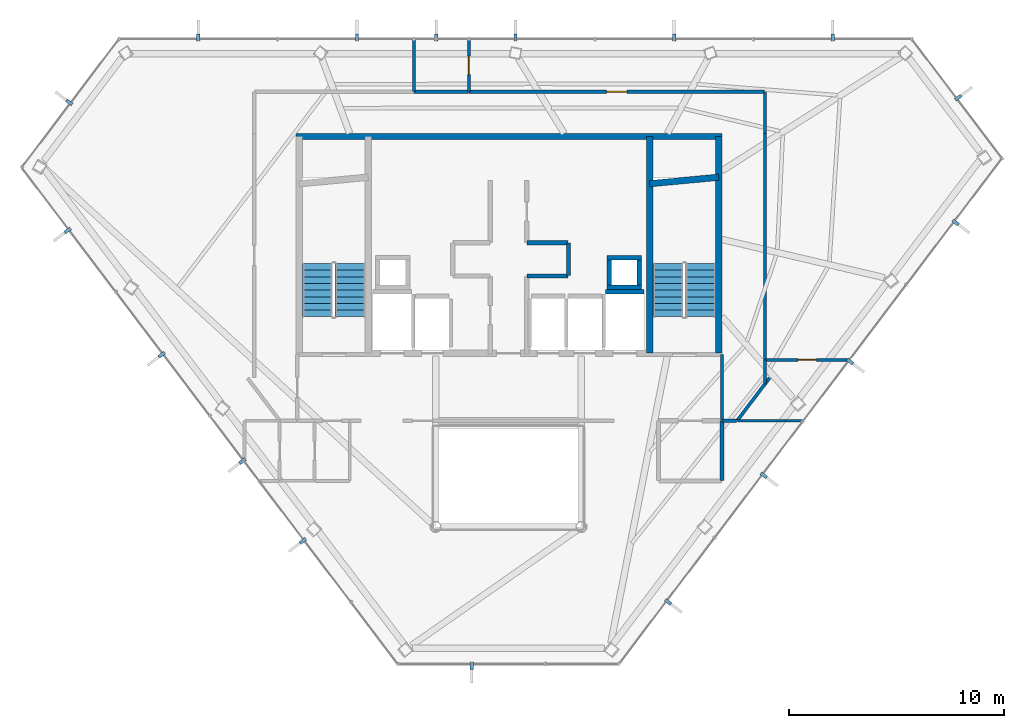
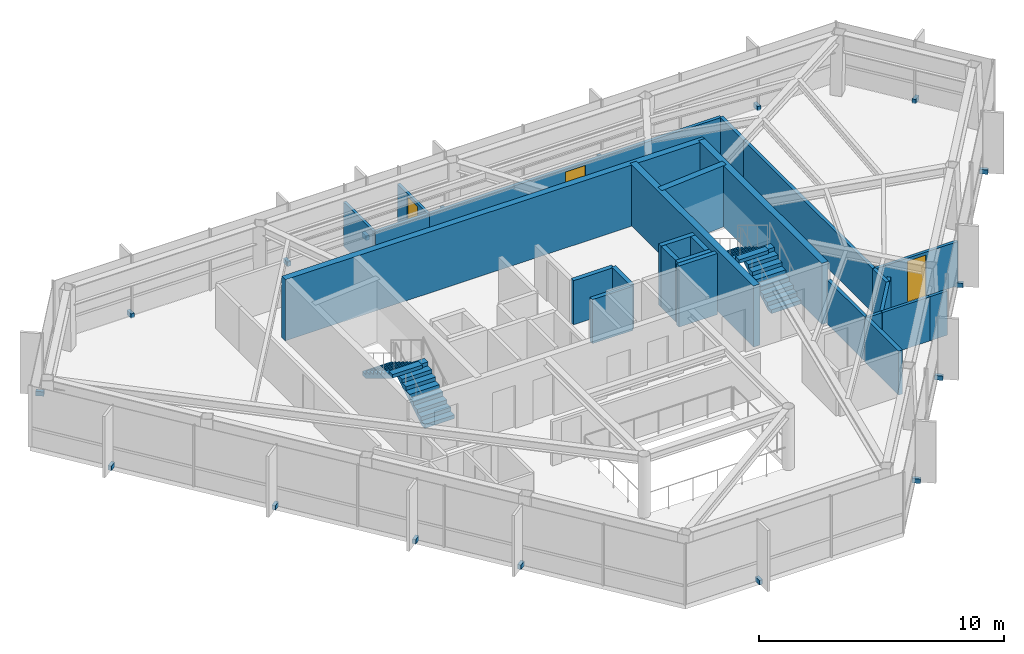
# One storey, part 23 of 24: 26 walls, 17 discrete accessories, 4 stair flights, 3 doors, 3 openings, 2 elements without a shape of their own.
"""IFC4 building model written with IfcOpenShell, lengths in metres."""

from ifc_helpers import new_model, si_unit, direction, frame, frame_2d, origin, origin_2d, place, context, subcontext, project, spatial, polyline, rectangle, outline, extrude, material, layer, layer_set, type_object, element, fill, aggregate, save


model = new_model("IFC4")

# Units and contexts
model_context = context("Model", 3, precision=1e-05, world=origin(), true_north=direction((0.0, 1.0)))
body_context = subcontext(model_context, "Body", "Model", "MODEL_VIEW")
ifc_project = project(units=[si_unit("LENGTHUNIT", "METRE"), si_unit("AREAUNIT", "SQUARE_METRE"), si_unit("VOLUMEUNIT", "CUBIC_METRE"), si_unit("PLANEANGLEUNIT", "RADIAN"), si_unit("MASSUNIT", "GRAM", prefix="KILO")], contexts=[model_context])

# Site, building, storey
site_placement = place(None, origin())
site = spatial("IfcSite", under=ifc_project, at=site_placement, CompositionType="ELEMENT")
building_placement = place(site_placement, origin())
building = spatial("IfcBuilding", under=site, at=building_placement, Name="Zarrinselat Tower", CompositionType="ELEMENT")
storey_placement = place(building_placement, frame((0.0, 0.0, 249.56005859375)))
storey = spatial("IfcBuildingStorey", under=building, at=storey_placement, Name="L63", CompositionType="ELEMENT", Elevation=249.56005859375)

# Walls
ifc_material_1 = material(Name="Concrete C40/50", Category="concrete")
ifc_layer_1 = layer(ifc_material_1, 0.18994140625)
ifc_layer_set_1 = layer_set([ifc_layer_1], Name="Concrete C40/50")
wall_type_1 = type_object("IfcWallType", Name="WAL-PART-EI120", PredefinedType="PARTITIONING", material=ifc_layer_set_1)
wall_1_placement = place(storey_placement, frame((48.35009765625, 27.3701171875, 0.0), z_axis=(0.0, 0.0, 1.0), x_axis=(0.0, 1.0, 0.0)))
element("IfcWall", 1, at=wall_1_placement, inside=storey, type_object=wall_type_1, Name="L63 Partition Wall 20", PredefinedType="PARTITIONING", context=body_context, shape_type="SweptSolid", body=[
    extrude(rectangle(XDim=2.759765625, YDim=0.18994140625, at=frame_2d((1.3798828125, 0.0))), origin(), (0.0, 0.0, 1.0), 2.199951171875),
])
ifc_material_2 = material(Name="Fire-Rated Gypsum Board Partition", Category="gypsum")
ifc_layer_2 = layer(ifc_material_2, 0.14990234375)
ifc_layer_set_2 = layer_set([ifc_layer_2], Name="Fire-Rated Gypsum Board Partition")
wall_type_2 = type_object("IfcWallType", Name="WAL-PART-EI60", PredefinedType="PARTITIONING", material=ifc_layer_set_2)
wall_2_placement = place(storey_placement, frame((48.35009765625, 30.169921875, 0.0), z_axis=(0.0, 0.0, 1.0), x_axis=(0.0, 1.0, 0.0)))
element("IfcWall", 2, at=wall_2_placement, inside=storey, type_object=wall_type_2, Name="L63 Partition Wall 13", PredefinedType="PARTITIONING", context=body_context, shape_type="SweptSolid", body=[
    extrude(rectangle(XDim=3.06005859375, YDim=0.14990234375, at=frame_2d((1.530029296875, 0.0))), origin(), (0.0, 0.0, 1.0), 2.199951171875),
])
wall_3_placement = place(storey_placement, frame((48.3701171875, 30.14990234375, 0.0), z_axis=(0.0, 0.0, 1.0), x_axis=(1.0, 0.0, 0.0)))
element("IfcWall", 3, at=wall_3_placement, inside=storey, type_object=wall_type_2, Name="L63 Partition Wall 22", PredefinedType="PARTITIONING", context=body_context, shape_type="SweptSolid", body=[
    extrude(rectangle(XDim=0.665283203125, YDim=0.14990234375, at=frame_2d((0.33251953125, 0.0))), origin(), (0.0, 0.0, 1.0), 2.199951171875),
])

# Wall, opening, door
wall_4_placement = place(storey_placement, frame((36.554931640625, 45.484619140625, 0.0), z_axis=(0.0, 0.0, 1.0), x_axis=(1.0, 0.0, 0.0)))
wall_4 = element("IfcWall", 4, at=wall_4_placement, inside=storey, type_object=wall_type_2, Name="L63 Partition Wall 27", PredefinedType="PARTITIONING", context=body_context, shape_type="SweptSolid", body=[
    extrude(rectangle(XDim=13.775146484375, YDim=0.14990234375, at=frame_2d((6.8876953125, 0.0))), origin(), (0.0, 0.0, 1.0), 2.199951171875),
])
opening_1_placement = place(wall_4_placement, frame((6.41748046875, 0.0, 0.0)))
opening_1 = element("IfcOpeningElement", 5, at=opening_1_placement, cuts=wall_4, Name="Opening ID-04", PredefinedType="OPENING", context=body_context, shape_type="SweptSolid", body=[
    extrude(rectangle(XDim=0.93994140625, YDim=2.050048828125, at=frame_2d((0.469970703125, 1.02490234375))), frame((0.0, 0.0849609375, 0.0), z_axis=(0.0, -1.0, 0.0), x_axis=(1.0, 0.0, 0.0)), (0.0, 0.0, 1.0), 0.169921875),
])
ifc_material_3 = material(Name="Fire-Rated Gypsum Board Partition")
door_type_1 = type_object("IfcDoorType", Name="DR-INT-FD30-ENT", OperationType="NOTDEFINED", PredefinedType="DOOR", material=ifc_material_3)
door_1_placement = place(opening_1_placement, origin())
door_1 = element("IfcDoor", 6, at=door_1_placement, inside=storey, type_object=door_type_1, Name="L63 Interior Door P27", OperationType="SINGLE_SWING_RIGHT", OverallHeight=2.050048828125, OverallWidth=0.93994140625, PredefinedType="DOOR", context=body_context, shape_type="SweptSolid", body=[
    extrude(rectangle(XDim=0.93994140625, YDim=2.050048828125, at=frame_2d((0.469970703125, 1.02490234375))), frame((0.0, 0.02490234375, 0.0), z_axis=(0.0, -1.0, 0.0), x_axis=(1.0, 0.0, 0.0)), (0.0, 0.0, 1.0), 0.050048828125),
])
fill(opening_1, door_1)

# Walls
wall_5_placement = place(storey_placement, frame((50.35009765625, 43.550048828125, 0.0), z_axis=(0.0, 0.0, 1.0), x_axis=(0.0, 1.0, 0.0)))
element("IfcWall", 7, at=wall_5_placement, inside=storey, type_object=wall_type_2, Name="L63 Partition Wall 28", PredefinedType="PARTITIONING", context=body_context, shape_type="SweptSolid", body=[
    extrude(rectangle(XDim=1.91455078125, YDim=0.14990234375, at=frame_2d((0.957275390625, 0.0))), origin(), (0.0, 0.0, 1.0), 2.199951171875),
])
wall_6_placement = place(storey_placement, frame((50.35009765625, 32.992431640625, 0.0), z_axis=(0.0, 0.0, 1.0), x_axis=(0.0, 1.0, 0.0)))
element("IfcWall", 8, at=wall_6_placement, inside=storey, type_object=wall_type_2, Name="L63 Partition Wall 29", PredefinedType="PARTITIONING", context=body_context, shape_type="SweptSolid", body=[
    extrude(rectangle(XDim=10.5576171875, YDim=0.14990234375, at=frame_2d((5.27880859375, 0.0))), origin(), (0.0, 0.0, 1.0), 2.199951171875),
])
wall_7_placement = place(storey_placement, frame((50.35009765625, 31.873779296875, 0.0), z_axis=(0.0, 0.0, 1.0), x_axis=(0.0, 1.0, 0.0)))
element("IfcWall", 9, at=wall_7_placement, inside=storey, type_object=wall_type_2, Name="L63 Partition Wall 30", PredefinedType="PARTITIONING", context=body_context, shape_type="SweptSolid", body=[
    extrude(rectangle(XDim=1.108642578125, YDim=0.14990234375, at=frame_2d((0.55419921875, 0.0))), origin(), (0.0, 0.0, 1.0), 2.199951171875),
])
wall_8_placement = place(storey_placement, frame((49.0673828125, 30.166015625, 0.0), z_axis=(0.0, 0.0, 1.0), x_axis=(0.603916229015, 0.797047795513, 0.0)))
element("IfcWall", 10, at=wall_8_placement, inside=storey, type_object=wall_type_2, Name="L63 Partition Wall 31", PredefinedType="PARTITIONING", context=body_context, shape_type="SweptSolid", body=[
    extrude(rectangle(XDim=2.489013671875, YDim=0.14990234375, at=frame_2d((1.24462890625, 0.0))), origin(), (0.0, 0.0, 1.0), 2.199951171875),
])
wall_9_placement = place(storey_placement, frame((34.0048828125, 45.484619140625, 0.0), z_axis=(0.0, 0.0, 1.0), x_axis=(1.0, 0.0, 0.0)))
element("IfcWall", 11, at=wall_9_placement, inside=storey, type_object=wall_type_2, Name="L63 Partition Wall 32", PredefinedType="PARTITIONING", context=body_context, shape_type="SweptSolid", body=[
    extrude(rectangle(XDim=2.5400390625, YDim=0.14990234375, at=frame_2d((1.27001953125, 0.0))), origin(), (0.0, 0.0, 1.0), 2.199951171875),
])
ifc_material_4 = material(Name="Concrete C40/50", Category="concrete")
ifc_layer_3 = layer(ifc_material_4, 0.199951171875)
ifc_layer_set_3 = layer_set([ifc_layer_3], Name="Concrete C40/50")
wall_type_3 = type_object("IfcWallType", Name="WAL-PART-PLANT", PredefinedType="PARTITIONING", material=ifc_layer_set_3)
wall_10_placement = place(storey_placement, frame((39.27001953125, 38.449951171875, 0.0), z_axis=(0.0, 0.0, 1.0), x_axis=(1.0, 0.0, 0.0)))
element("IfcWall", 12, at=wall_10_placement, inside=storey, type_object=wall_type_3, Name="L63 Partition Wall 7", PredefinedType="PARTITIONING", context=body_context, shape_type="SweptSolid", body=[
    extrude(rectangle(XDim=1.909912109375, YDim=0.199951171875, at=frame_2d((0.955078125, 0.0))), origin(), (0.0, 0.0, 1.0), 2.199951171875),
])
wall_11_placement = place(storey_placement, frame((41.199951171875, 36.919921875, 0.0), z_axis=(0.0, 0.0, 1.0), x_axis=(0.0, 1.0, 0.0)))
element("IfcWall", 13, at=wall_11_placement, inside=storey, type_object=wall_type_3, Name="L63 Partition Wall 8", PredefinedType="PARTITIONING", context=body_context, shape_type="SweptSolid", body=[
    extrude(rectangle(XDim=1.510009765625, YDim=0.199951171875, at=frame_2d((0.7548828125, 0.0))), origin(), (0.0, 0.0, 1.0), 2.199951171875),
])
wall_12_placement = place(storey_placement, frame((39.27001953125, 36.89990234375, 0.0), z_axis=(0.0, 0.0, 1.0), x_axis=(1.0, 0.0, 0.0)))
element("IfcWall", 14, at=wall_12_placement, inside=storey, type_object=wall_type_3, Name="L63 Partition Wall 9", PredefinedType="PARTITIONING", context=body_context, shape_type="SweptSolid", body=[
    extrude(rectangle(XDim=1.909912109375, YDim=0.199951171875, at=frame_2d((0.955078125, 0.0))), origin(), (0.0, 0.0, 1.0), 2.199951171875),
])
ifc_material_5 = material(Name="Fire-Rated Gypsum Board Partition", Category="gypsum")
ifc_layer_4 = layer(ifc_material_5, 0.135009765625)
ifc_layer_set_4 = layer_set([ifc_layer_4], Name="Fire-Rated Gypsum Board Partition")
wall_type_4 = type_object("IfcWallType", Name="WAL-PART-WET", PredefinedType="PARTITIONING", material=ifc_layer_set_4)
wall_13_placement = place(storey_placement, frame((49.0751953125, 30.14990234375, 0.0), z_axis=(0.0, 0.0, 1.0), x_axis=(1.0, 0.0, 0.0)))
element("IfcWall", 15, at=wall_13_placement, inside=storey, type_object=wall_type_4, Name="L63 Partition Wall 41", PredefinedType="PARTITIONING", context=body_context, shape_type="SweptSolid", body=[
    extrude(rectangle(XDim=2.224853515625, YDim=0.135009765625, at=frame_2d((1.1123046875, 0.0))), origin(), (0.0, 0.0, 1.0), 2.199951171875),
])
wall_14_placement = place(storey_placement, frame((51.300048828125, 30.14990234375, 0.0), z_axis=(0.0, 0.0, 1.0), x_axis=(1.0, 0.0, 0.0)))
element("IfcWall", 16, at=wall_14_placement, inside=storey, type_object=wall_type_4, Name="L63 Partition Wall 42", PredefinedType="PARTITIONING", context=body_context, shape_type="SweptSolid", body=[
    extrude(rectangle(XDim=0.82666015625, YDim=0.135009765625, at=frame_2d((0.413330078125, 0.0))), origin(), (0.0, 0.0, 1.0), 2.199951171875),
])
wall_15_placement = place(storey_placement, frame((34.0, 45.50439453125, 0.0), z_axis=(0.0, 0.0, 1.0), x_axis=(0.0, 1.0, 0.0)))
element("IfcWall", 17, at=wall_15_placement, inside=storey, type_object=wall_type_4, Name="L63 Partition Wall 43", PredefinedType="PARTITIONING", context=body_context, shape_type="SweptSolid", body=[
    extrude(rectangle(XDim=2.425048828125, YDim=0.135009765625, at=frame_2d((1.21240234375, 0.0))), origin(), (0.0, 0.0, 1.0), 2.199951171875),
])

# Wall, opening, door
wall_16_placement = place(storey_placement, frame((50.3701171875, 32.987548828125, 0.0), z_axis=(0.0, 0.0, 1.0), x_axis=(1.0, 0.0, 0.0)))
wall_16 = element("IfcWall", 18, at=wall_16_placement, inside=storey, type_object=wall_type_4, Name="L63 Partition Wall 44", PredefinedType="PARTITIONING", context=body_context, shape_type="SweptSolid", body=[
    extrude(rectangle(XDim=3.906005859375, YDim=0.135009765625, at=frame_2d((1.953125, 0.0))), origin(), (0.0, 0.0, 1.0), 2.199951171875),
])
opening_2_placement = place(wall_16_placement, frame((1.523193359375, 0.0, 0.0)))
opening_2 = element("IfcOpeningElement", 19, at=opening_2_placement, cuts=wall_16, Name="Opening ID-06", PredefinedType="OPENING", context=body_context, shape_type="SweptSolid", body=[
    extrude(rectangle(XDim=0.860107421875, YDim=2.050048828125, at=frame_2d((0.43017578125, 1.02490234375))), frame((0.0, 0.077392578125, 0.0), z_axis=(0.0, -1.0, 0.0), x_axis=(1.0, 0.0, 0.0)), (0.0, 0.0, 1.0), 0.155029296875),
])
ifc_material_6 = material(Name="Extruded Aluminium Alloy EN AW-6063 T6", Category="aluminium")
door_type_2 = type_object("IfcDoorType", Name="DR-INT-WET-900", OperationType="NOTDEFINED", PredefinedType="DOOR", material=ifc_material_6)
door_2_placement = place(opening_2_placement, origin())
door_2 = element("IfcDoor", 20, at=door_2_placement, inside=storey, type_object=door_type_2, Name="L63 Interior Door P44", OperationType="SINGLE_SWING_LEFT", OverallHeight=2.050048828125, OverallWidth=0.860107421875, PredefinedType="DOOR", context=body_context, shape_type="SweptSolid", body=[
    extrude(rectangle(XDim=0.860107421875, YDim=2.050048828125, at=frame_2d((0.43017578125, 1.02490234375))), frame((0.0, 0.02490234375, 0.0), z_axis=(0.0, -1.0, 0.0), x_axis=(1.0, 0.0, 0.0)), (0.0, 0.0, 1.0), 0.050048828125),
])
fill(opening_2, door_2)

wall_17_placement = place(storey_placement, frame((36.550048828125, 45.50439453125, 0.0), z_axis=(0.0, 0.0, 1.0), x_axis=(0.0, 1.0, 0.0)))
wall_17 = element("IfcWall", 21, at=wall_17_placement, inside=storey, type_object=wall_type_4, Name="L63 Partition Wall 45", PredefinedType="PARTITIONING", context=body_context, shape_type="SweptSolid", body=[
    extrude(rectangle(XDim=2.425048828125, YDim=0.135009765625, at=frame_2d((1.21240234375, 0.0))), origin(), (0.0, 0.0, 1.0), 2.199951171875),
])
opening_3_placement = place(wall_17_placement, frame((0.782470703125, 0.0, 0.0)))
opening_3 = element("IfcOpeningElement", 22, at=opening_3_placement, cuts=wall_17, Name="Opening ID-06", PredefinedType="OPENING", context=body_context, shape_type="SweptSolid", body=[
    extrude(rectangle(XDim=0.860107421875, YDim=2.050048828125, at=frame_2d((0.43017578125, 1.02490234375))), frame((0.0, 0.077392578125, 0.0), z_axis=(0.0, -1.0, 0.0), x_axis=(1.0, 0.0, 0.0)), (0.0, 0.0, 1.0), 0.155029296875),
])
door_3_placement = place(opening_3_placement, origin())
door_3 = element("IfcDoor", 23, at=door_3_placement, inside=storey, type_object=door_type_2, Name="L63 Interior Door P45", OperationType="SINGLE_SWING_RIGHT", OverallHeight=2.050048828125, OverallWidth=0.860107421875, PredefinedType="DOOR", context=body_context, shape_type="SweptSolid", body=[
    extrude(rectangle(XDim=0.860107421875, YDim=2.050048828125, at=frame_2d((0.43017578125, 1.02490234375))), frame((0.0, 0.02490234375, 0.0), z_axis=(0.0, -1.0, 0.0), x_axis=(1.0, 0.0, 0.0)), (0.0, 0.0, 1.0), 0.050048828125),
])
fill(opening_3, door_3)

# Walls
ifc_material_7 = material(Name="Concrete C40/50", Category="concrete")
ifc_layer_5 = layer(ifc_material_7, 0.2099609375)
ifc_layer_set_5 = layer_set([ifc_layer_5], Name="Concrete C40/50")
wall_type_5 = type_object("IfcWallType", Name="WAL-SHAFT-210", PredefinedType="SOLIDWALL", material=ifc_layer_set_5)
wall_18_placement = place(storey_placement, frame((42.919921875, 36.155029296875, 0.0), z_axis=(0.0, 0.0, 1.0), x_axis=(1.0, 0.0, 0.0)))
element("IfcWall", 24, at=wall_18_placement, inside=storey, type_object=wall_type_5, Name="L63 Lift FFL2 North Shaft Wall", PredefinedType="SOLIDWALL", context=body_context, shape_type="SweptSolid", body=[
    extrude(rectangle(XDim=1.800048828125, YDim=0.2099609375, at=frame_2d((0.89990234375, 0.0))), origin(), (0.0, 0.0, 1.0), 3.050048828125),
])
for number, where, z_axis, x_axis, name in (
    (25, (42.989990234375, 36.375, 0.0), (0.0, 0.0, 1.0), (1.0, 0.0, 0.0), "L63 Core Riser RSR-E S Shaft Wall"),
    (26, (42.989990234375, 37.7451171875, 0.0), (0.0, 0.0, 1.0), (1.0, 0.0, 0.0), "L63 Core Riser RSR-E N Shaft Wall"),
):
    element("IfcWall", number, at=place(storey_placement, frame(where, z_axis=z_axis, x_axis=x_axis)), inside=storey, type_object=wall_type_5, Name=name, PredefinedType="SOLIDWALL", context=body_context, shape_type="SweptSolid", body=[
        extrude(rectangle(XDim=1.60009765625, YDim=0.2099609375, at=frame_2d((0.800048828125, 0.0))), origin(), (0.0, 0.0, 1.0), 3.050048828125),
    ])
for number, where, z_axis, x_axis, name in (
    (27, (43.094970703125, 36.485107421875, 0.0), (0.0, 0.0, 1.0), (0.0, 1.0, 0.0), "L63 Core Riser RSR-E W Shaft Wall"),
    (28, (44.485107421875, 36.485107421875, 0.0), (0.0, 0.0, 1.0), (0.0, 1.0, 0.0), "L63 Core Riser RSR-E E Shaft Wall"),
):
    element("IfcWall", number, at=place(storey_placement, frame(where, z_axis=z_axis, x_axis=x_axis)), inside=storey, type_object=wall_type_5, Name=name, PredefinedType="SOLIDWALL", context=body_context, shape_type="SweptSolid", body=[
        extrude(rectangle(XDim=1.14990234375, YDim=0.2099609375, at=frame_2d((0.574951171875, 0.0))), origin(), (0.0, 0.0, 1.0), 3.050048828125),
    ])
ifc_material_8 = material(Name="Concrete C40/50", Category="concrete")
ifc_layer_6 = layer(ifc_material_8, 0.300048828125)
ifc_layer_set_6 = layer_set([ifc_layer_6], Name="Concrete C40/50")
wall_type_6 = type_object("IfcWallType", Name="WAL-SHEAR-300", PredefinedType="SHEAR", material=ifc_layer_set_6)
wall_19_placement = place(storey_placement, frame((28.5, 43.39990234375, 0.0), z_axis=(0.0, 0.0, 1.0), x_axis=(1.0, 0.0, 0.0)))
element("IfcWall", 29, at=wall_19_placement, inside=storey, type_object=wall_type_6, Name="L63 North Core Shear Wall", PredefinedType="SHEAR", context=body_context, shape_type="SweptSolid", body=[
    extrude(rectangle(XDim=19.860107421875, YDim=0.300048828125, at=frame_2d((9.93017578125, 0.0))), origin(), (0.0, 0.0, 1.0), 3.050048828125),
])
for number, where, z_axis, x_axis, name in (
    (30, (44.989990234375, 33.300048828125, 0.0), (0.0, 0.0, 1.0), (0.0, 1.0, 0.0), "L63 Core Shear Wall ST2W"),
    (31, (48.2099609375, 33.300048828125, 0.0), (0.0, 0.0, 1.0), (0.0, 1.0, 0.0), "L63 Core Shear Wall E"),
):
    element("IfcWall", number, at=place(storey_placement, frame(where, z_axis=z_axis, x_axis=x_axis)), inside=storey, type_object=wall_type_6, Name=name, PredefinedType="SHEAR", context=body_context, shape_type="SweptSolid", body=[
        extrude(rectangle(XDim=10.099853515625, YDim=0.300048828125, at=frame_2d((5.0498046875, 0.0))), origin(), (0.0, 0.0, 1.0), 3.050048828125),
    ])
wall_20_placement = place(storey_placement, frame((44.97998046875, 41.199951171875, 0.0), z_axis=(0.0, 0.0, 1.0), x_axis=(0.995686468965, 0.09278176286, 0.0)))
element("IfcWall", 32, at=wall_20_placement, inside=storey, type_object=wall_type_6, Name="L63 Stair 2 North Shaft Wall", PredefinedType="SHEAR", context=body_context, shape_type="SweptSolid", body=[
    extrude(rectangle(XDim=3.23388671875, YDim=0.300048828125, at=frame_2d((1.616943359375, 0.0))), origin(), (0.0, 0.0, 1.0), 3.050048828125),
])

# Stair, stair flights
ifc_material_9 = material(Name="Concrete C40/50", Category="concrete")
stair_type = type_object("IfcStairType", Name="STR-CORE-155", PredefinedType="HALF_TURN_STAIR", material=ifc_material_9)
stair_1_placement = place(storey_placement, origin())
stair_1 = element("IfcStair", 33, at=stair_1_placement, inside=storey, type_object=stair_type, Name="L63 Core Exit Stair 1", PredefinedType="HALF_TURN_STAIR")
ifc_material_10 = material(Name="Concrete C40/50", Category="concrete")
stair_flight_type = type_object("IfcStairFlightType", Name="STR-FLT-155", PredefinedType="STRAIGHT", material=ifc_material_10)
stair_flight_1_placement = place(storey_placement, frame((31.02001953125, 35.0, 0.0), z_axis=(0.0, 0.0, 1.0), x_axis=(0.0, 1.0, 0.0)))
stair_flight_1 = element("IfcStairFlight", 34, at=stair_flight_1_placement, type_object=stair_flight_type, Name="ST-1 flight 1", NumberOfRisers=9, NumberOfTreads=8, PredefinedType="STRAIGHT", RiserHeight=0.188888889, TreadLength=0.31, context=body_context, shape_type="SweptSolid", body=[
    extrude(outline(polyline([(0.0, 0.0), (0.0, 0.18896484375), (0.31005859375, 0.18896484375), (0.31005859375, 0.377685546875), (0.6201171875, 0.377685546875), (0.6201171875, 0.566650390625), (0.929931640625, 0.566650390625), (0.929931640625, 0.755615234375), (1.239990234375, 0.755615234375), (1.239990234375, 0.9443359375), (1.550048828125, 0.9443359375), (1.550048828125, 1.13330078125), (1.860107421875, 1.13330078125), (1.860107421875, 1.322265625), (2.169921875, 1.322265625), (2.169921875, 1.51123046875), (2.47998046875, 1.51123046875), (2.47998046875, 1.699951171875), (2.47998046875, 1.335693359375), (0.2880859375, 0.0), (0.0, 0.0)])), frame((0.0, 0.699951171875, 0.0), z_axis=(0.0, -1.0, 0.0), x_axis=(1.0, 0.0, 0.0)), (0.0, 0.0, 1.0), 1.39990234375),
])
stair_flight_2_placement = place(storey_placement, frame((29.5, 37.47998046875, 1.699951171875), z_axis=(0.0, 0.0, 1.0), x_axis=(0.0, -1.0, 0.0)))
stair_flight_2 = element("IfcStairFlight", 35, at=stair_flight_2_placement, type_object=stair_flight_type, Name="ST-1 flight 2", NumberOfRisers=9, NumberOfTreads=8, PredefinedType="STRAIGHT", RiserHeight=0.188888889, TreadLength=0.31, context=body_context, shape_type="SweptSolid", body=[
    extrude(outline(polyline([(0.0, 0.0), (0.0, 0.18896484375), (0.31005859375, 0.18896484375), (0.31005859375, 0.377685546875), (0.6201171875, 0.377685546875), (0.6201171875, 0.566650390625), (0.929931640625, 0.566650390625), (0.929931640625, 0.755615234375), (1.239990234375, 0.755615234375), (1.239990234375, 0.9443359375), (1.550048828125, 0.9443359375), (1.550048828125, 1.13330078125), (1.860107421875, 1.13330078125), (1.860107421875, 1.322265625), (2.169921875, 1.322265625), (2.169921875, 1.51123046875), (2.47998046875, 1.51123046875), (2.47998046875, 1.699951171875), (2.47998046875, 1.335693359375), (0.2880859375, 0.0), (0.0, 0.0)])), frame((0.0, 0.699951171875, 0.0), z_axis=(0.0, -1.0, 0.0), x_axis=(1.0, 0.0, 0.0)), (0.0, 0.0, 1.0), 1.39990234375),
])
aggregate(stair_1, [stair_flight_1, stair_flight_2])

stair_2_placement = place(storey_placement, origin())
stair_2 = element("IfcStair", 36, at=stair_2_placement, inside=storey, type_object=stair_type, Name="L63 Core Exit Stair 2", PredefinedType="HALF_TURN_STAIR")
stair_flight_3_placement = place(storey_placement, frame((47.360107421875, 35.0, 0.0), z_axis=(0.0, 0.0, 1.0), x_axis=(0.0, 1.0, 0.0)))
stair_flight_3 = element("IfcStairFlight", 37, at=stair_flight_3_placement, type_object=stair_flight_type, Name="ST-2 flight 1", NumberOfRisers=9, NumberOfTreads=8, PredefinedType="STRAIGHT", RiserHeight=0.188888889, TreadLength=0.31, context=body_context, shape_type="SweptSolid", body=[
    extrude(outline(polyline([(0.0, 0.0), (0.0, 0.18896484375), (0.31005859375, 0.18896484375), (0.31005859375, 0.377685546875), (0.6201171875, 0.377685546875), (0.6201171875, 0.566650390625), (0.929931640625, 0.566650390625), (0.929931640625, 0.755615234375), (1.239990234375, 0.755615234375), (1.239990234375, 0.9443359375), (1.550048828125, 0.9443359375), (1.550048828125, 1.13330078125), (1.860107421875, 1.13330078125), (1.860107421875, 1.322265625), (2.169921875, 1.322265625), (2.169921875, 1.51123046875), (2.47998046875, 1.51123046875), (2.47998046875, 1.699951171875), (2.47998046875, 1.335693359375), (0.2880859375, 0.0), (0.0, 0.0)])), frame((0.0, 0.699951171875, 0.0), z_axis=(0.0, -1.0, 0.0), x_axis=(1.0, 0.0, 0.0)), (0.0, 0.0, 1.0), 1.39990234375),
])
stair_flight_4_placement = place(storey_placement, frame((45.840087890625, 37.47998046875, 1.699951171875), z_axis=(0.0, 0.0, 1.0), x_axis=(0.0, -1.0, 0.0)))
stair_flight_4 = element("IfcStairFlight", 38, at=stair_flight_4_placement, type_object=stair_flight_type, Name="ST-2 flight 2", NumberOfRisers=9, NumberOfTreads=8, PredefinedType="STRAIGHT", RiserHeight=0.188888889, TreadLength=0.31, context=body_context, shape_type="SweptSolid", body=[
    extrude(outline(polyline([(0.0, 0.0), (0.0, 0.18896484375), (0.31005859375, 0.18896484375), (0.31005859375, 0.377685546875), (0.6201171875, 0.377685546875), (0.6201171875, 0.566650390625), (0.929931640625, 0.566650390625), (0.929931640625, 0.755615234375), (1.239990234375, 0.755615234375), (1.239990234375, 0.9443359375), (1.550048828125, 0.9443359375), (1.550048828125, 1.13330078125), (1.860107421875, 1.13330078125), (1.860107421875, 1.322265625), (2.169921875, 1.322265625), (2.169921875, 1.51123046875), (2.47998046875, 1.51123046875), (2.47998046875, 1.699951171875), (2.47998046875, 1.335693359375), (0.2880859375, 0.0), (0.0, 0.0)])), frame((0.0, 0.699951171875, 0.0), z_axis=(0.0, -1.0, 0.0), x_axis=(1.0, 0.0, 0.0)), (0.0, 0.0, 1.0), 1.39990234375),
])
aggregate(stair_2, [stair_flight_3, stair_flight_4])

# Discrete accessories
ifc_material_11 = material(Name="Steel S355J2", Category="steel")
discrete_accessory_type = type_object("IfcDiscreteAccessoryType", Name="ACC-FIN-BRACKET", PredefinedType="BRACKET", material=ifc_material_11)
for number, where, z_axis, x_axis, name in (
    (39, (53.505126953125, 48.014404296875, -0.0498046875), (0.0, 0.0, 1.0), (0.0, 1.0, 0.0), "L63 Fin Fixing Bracket CW-L63-E01-01"),
    (40, (46.115966796875, 48.014404296875, -0.0498046875), (0.0, 0.0, 1.0), (0.0, 1.0, 0.0), "L63 Fin Fixing Bracket CW-L63-E01-03"),
    (41, (38.726806640625, 48.014404296875, -0.0498046875), (0.0, 0.0, 1.0), (0.0, 1.0, 0.0), "L63 Fin Fixing Bracket CW-L63-E01-05"),
    (42, (35.031982421875, 48.014404296875, -0.0498046875), (0.0, 0.0, 1.0), (0.0, 1.0, 0.0), "L63 Fin Fixing Bracket CW-L63-E01-07"),
    (43, (31.33740234375, 48.014404296875, -0.0498046875), (0.0, 0.0, 1.0), (0.0, 1.0, 0.0), "L63 Fin Fixing Bracket CW-L63-E01-09"),
    (44, (23.9482421875, 48.014404296875, -0.0498046875), (0.0, 0.0, 1.0), (0.0, 1.0, 0.0), "L63 Fin Fixing Bracket CW-L63-E01-11"),
    (45, (17.928955078125, 44.99169921875, -0.0498046875), (0.0, 0.0, 1.0), (-0.797089236799, 0.603861530965, 0.0), "L63 Fin Fixing Bracket CW-L63-E02-01"),
    (46, (17.852294921875, 39.01806640625, -0.0498046875), (0.0, 0.0, 1.0), (-0.797092449452, -0.603857290282, 0.0), "L63 Fin Fixing Bracket CW-L63-E03-01"),
    (47, (22.237060546875, 33.22998046875, -0.0498046875), (0.0, 0.0, 1.0), (-0.797092449452, -0.603857290282, 0.0), "L63 Fin Fixing Bracket CW-L63-E03-03"),
    (48, (25.996337890625, 28.26806640625, -0.0498046875), (0.0, 0.0, 1.0), (-0.797092449452, -0.603857290282, 0.0), "L63 Fin Fixing Bracket CW-L63-E03-05"),
    (49, (28.814453125, 24.548095703125, -0.0498046875), (0.0, 0.0, 1.0), (-0.797092449452, -0.603857290282, 0.0), "L63 Fin Fixing Bracket CW-L63-E03-07"),
    (50, (36.68505859375, 18.732421875, -0.0498046875), (0.0, 0.0, 1.0), (0.0, -1.0, 0.0), "L63 Fin Fixing Bracket CW-L63-E04-01"),
    (51, (45.833984375, 21.7080078125, -0.0498046875), (0.0, 0.0, 1.0), (0.797093528527, -0.603855865899, 0.0), "L63 Fin Fixing Bracket CW-L63-E05-01"),
    (52, (50.300537109375, 27.60400390625, -0.0498046875), (0.0, 0.0, 1.0), (0.797093528527, -0.603855865899, 0.0), "L63 Fin Fixing Bracket CW-L63-E05-03"),
    (53, (54.319580078125, 32.908935546875, -0.0498046875), (0.0, 0.0, 1.0), (0.797093528527, -0.603855865899, 0.0), "L63 Fin Fixing Bracket CW-L63-E05-05"),
    (54, (59.2333984375, 39.3955078125, -0.0498046875), (0.0, 0.0, 1.0), (0.797093528527, -0.603855865899, 0.0), "L63 Fin Fixing Bracket CW-L63-E05-07"),
    (55, (59.361083984375, 45.207275390625, -0.0498046875), (0.0, 0.0, 1.0), (0.797098213389, 0.603849681802, 0.0), "L63 Fin Fixing Bracket CW-L63-E06-01"),
):
    element("IfcDiscreteAccessory", number, at=place(storey_placement, frame(where, z_axis=z_axis, x_axis=x_axis)), inside=storey, type_object=discrete_accessory_type, Name=name, PredefinedType="BRACKET", context=body_context, shape_type="SweptSolid", body=[
        extrude(rectangle(XDim=0.340087890625, YDim=0.159912109375, at=origin_2d()), origin(), (0.0, 0.0, 1.0), 0.219970703125),
    ])

save(model, "model.ifc")
